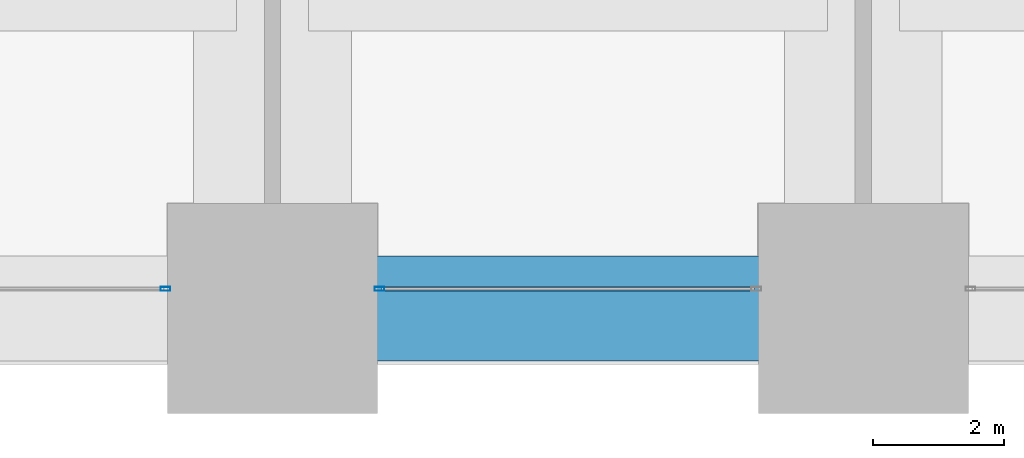
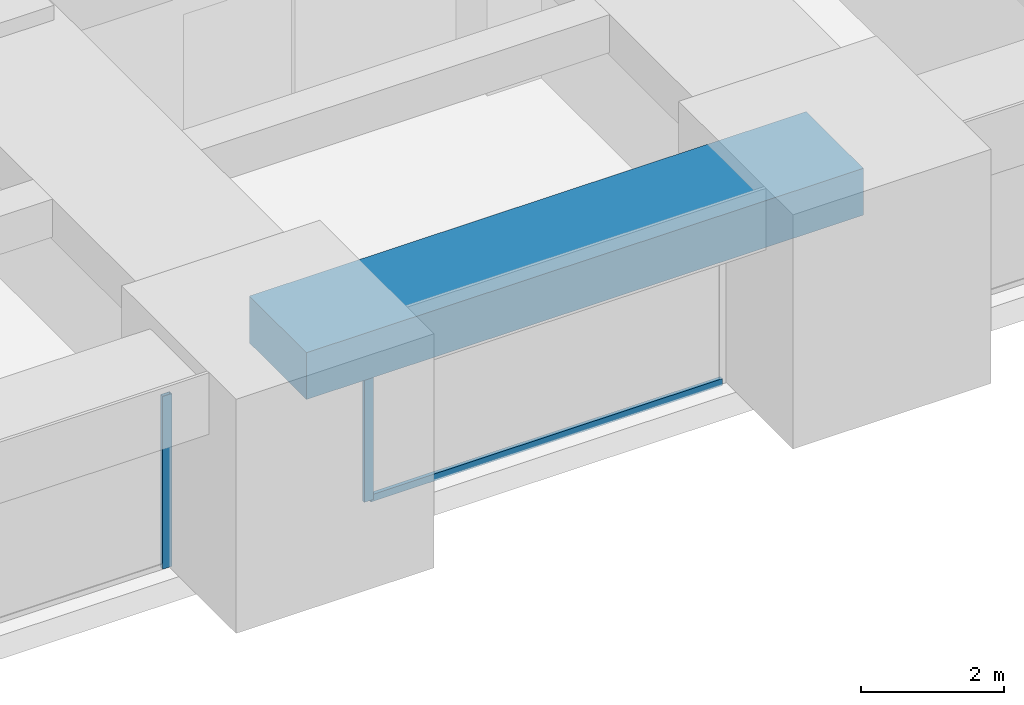
# One storey, part 6 of 35: 3 members, 1 beam, 2 elements without a shape of their own.
"""IFC4 building model written with IfcOpenShell, lengths in metres."""

from ifc_helpers import new_model, si_unit, direction, frame, origin, origin_2d, place, context, subcontext, project, spatial, rectangle, hollow_rectangle, extrude, material, material_profile, profile_set, type_object, element, aggregate, save


model = new_model("IFC4")

# Units and contexts
model_context = context("Model", 3, precision=1e-05, world=origin(), true_north=direction((0.0, 1.0)))
body_context = subcontext(model_context, "Body", "Model", "MODEL_VIEW")
ifc_project = project(units=[si_unit("LENGTHUNIT", "METRE"), si_unit("AREAUNIT", "SQUARE_METRE"), si_unit("VOLUMEUNIT", "CUBIC_METRE"), si_unit("PLANEANGLEUNIT", "RADIAN"), si_unit("MASSUNIT", "GRAM", prefix="KILO")], contexts=[model_context])

# Site, building, storey
site_placement = place(None, origin())
site = spatial("IfcSite", under=ifc_project, at=site_placement, CompositionType="ELEMENT")
building_placement = place(site_placement, origin())
building = spatial("IfcBuilding", under=site, at=building_placement, Name="Zorevar Civic Tower", CompositionType="ELEMENT")
storey_placement = place(building_placement, frame((0.0, 0.0, 162.199951171875)))
storey = spatial("IfcBuildingStorey", under=building, at=storey_placement, Name="L39", CompositionType="ELEMENT", Elevation=162.199951171875)

# Curtain wall, member
ifc_material_1 = material(Name="Dark grey solar-control glass in black aluminium frame", Category="aluminium")
curtain_wall_type = type_object("IfcCurtainWallType", Name="Curtain wall CW4 high zone", PredefinedType="NOTDEFINED", material=ifc_material_1)
curtain_wall_1_placement = place(storey_placement, origin())
curtain_wall_1 = element("IfcCurtainWall", 1, at=curtain_wall_1_placement, inside=storey, type_object=curtain_wall_type, Name="CW4 L39", PredefinedType="NOTDEFINED")
ifc_material_2 = material(Name="Aluminium, black anodised", Category="aluminium")
ifc_material_profile_1 = material_profile(ifc_material_2, hollow_rectangle(XDim=0.06005859375, YDim=0.14990234375, WallThickness=0.00390625, at=origin_2d()), Name="AL 150x60x4")
ifc_profile_set_1 = profile_set([ifc_material_profile_1], Name="Aluminium, black anodised")
member_type_1 = type_object("IfcMemberType", Name="CW4 mullion AL 150x60x4", PredefinedType="MULLION", material=ifc_profile_set_1)
member_1_placement = place(storey_placement, frame((16.3701171875, 0.300048828125, 0.0), z_axis=(0.0, 0.0, 1.0), x_axis=(0.0, 1.0, 0.0)))
member_1 = element("IfcMember", 2, at=member_1_placement, type_object=member_type_1, Name="CW4 mullion 3", PredefinedType="MULLION", context=body_context, shape_type="SweptSolid", body=[
    extrude(hollow_rectangle(XDim=0.06005859375, YDim=0.14990234375, WallThickness=0.00390625, at=origin_2d()), origin(), (0.0, 0.0, 1.0), 2.949951171875),
])
aggregate(curtain_wall_1, [member_1])

# Curtain wall, members
curtain_wall_2_placement = place(storey_placement, origin())
curtain_wall_2 = element("IfcCurtainWall", 3, at=curtain_wall_2_placement, inside=storey, type_object=curtain_wall_type, Name="CW4 L39", PredefinedType="NOTDEFINED")
member_2_placement = place(storey_placement, frame((19.6298828125, 0.300048828125, 0.0), z_axis=(0.0, 0.0, 1.0), x_axis=(0.0, 1.0, 0.0)))
member_2 = element("IfcMember", 4, at=member_2_placement, type_object=member_type_1, Name="CW4 mullion 1", PredefinedType="MULLION", context=body_context, shape_type="SweptSolid", body=[
    extrude(hollow_rectangle(XDim=0.06005859375, YDim=0.14990234375, WallThickness=0.00390625, at=origin_2d()), origin(), (0.0, 0.0, 1.0), 2.949951171875),
])
ifc_material_3 = material(Name="Aluminium, black anodised", Category="aluminium")
ifc_material_profile_2 = material_profile(ifc_material_3, hollow_rectangle(XDim=0.06005859375, YDim=0.1201171875, WallThickness=0.0029296875, at=origin_2d()), Name="AL 120x60x3")
ifc_profile_set_2 = profile_set([ifc_material_profile_2], Name="Aluminium, black anodised")
member_type_2 = type_object("IfcMemberType", Name="CW4 transom AL 120x60x3", PredefinedType="USERDEFINED", material=ifc_profile_set_2)
member_3_placement = place(storey_placement, frame((19.659912109375, 0.300048828125, 0.030029296875), z_axis=(1.0, 0.0, 0.0), x_axis=(0.0, 1.0, 0.0)))
member_3 = element("IfcMember", 5, at=member_3_placement, type_object=member_type_2, Name="CW4 sill transom", ObjectType="TRANSOM", PredefinedType="USERDEFINED", context=body_context, shape_type="SweptSolid", body=[
    extrude(hollow_rectangle(XDim=0.06005859375, YDim=0.1201171875, WallThickness=0.0029296875, at=origin_2d()), origin(), (0.0, 0.0, 1.0), 5.68017578125),
])
aggregate(curtain_wall_2, [member_2, member_3])

# Beam
ifc_material_4 = material(Name="Concrete C50/60", Category="concrete")
ifc_material_profile_3 = material_profile(ifc_material_4, rectangle(XDim=1.60009765625, YDim=0.800048828125, at=origin_2d()), Name="RC 1600x800")
ifc_profile_set_3 = profile_set([ifc_material_profile_3], Name="Concrete C50/60")
beam_type = type_object("IfcBeamType", Name="Edge beam RC 1600x800", PredefinedType="SPANDREL", material=ifc_profile_set_3)
beam_placement = place(storey_placement, frame((18.0, 0.0, 3.35009765625), z_axis=(1.0, 0.0, 0.0), x_axis=(0.0, 1.0, 0.0)))
element("IfcBeam", 6, at=beam_placement, inside=storey, type_object=beam_type, Name="Edge beam L40", PredefinedType="SPANDREL", context=body_context, shape_type="SweptSolid", body=[
    extrude(rectangle(XDim=1.60009765625, YDim=0.800048828125, at=origin_2d()), origin(), (0.0, 0.0, 1.0), 9.0),
])

save(model, "model.ifc")
